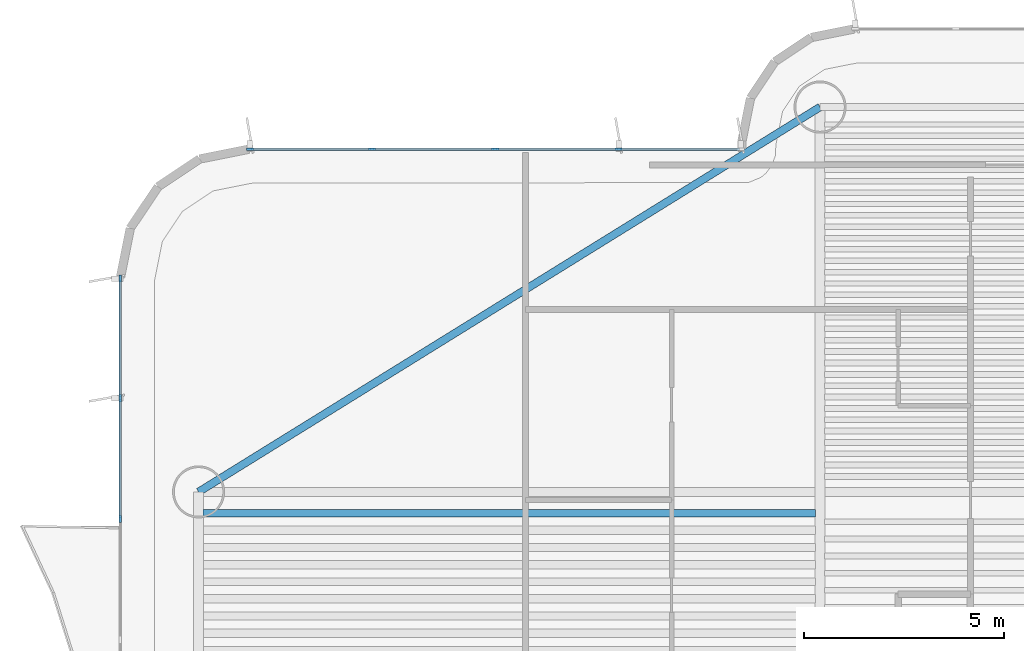
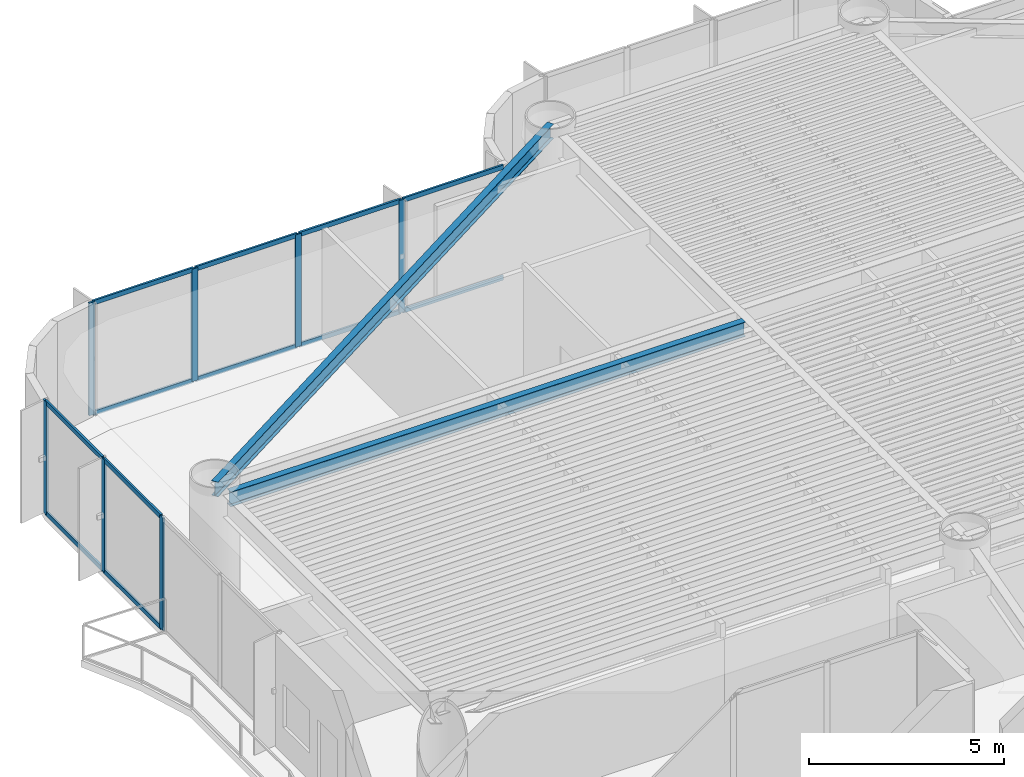
# One storey, part 5 of 17: 19 members, 2 beams, 2 elements without a shape of their own.
"""IFC4 building model written with IfcOpenShell, lengths in metres."""

from ifc_helpers import new_model, si_unit, direction, frame, origin, origin_2d, place, context, subcontext, project, spatial, rectangle, i_section, extrude, source, transform, mapped, material, layer, layer_set, material_profile, profile_set, type_object, element, aggregate, save


model = new_model("IFC4")

# Units and contexts
model_context = context("Model", 3, precision=1e-05, world=origin(), true_north=direction((0.0, 1.0)))
body_context = subcontext(model_context, "Body", "Model", "MODEL_VIEW")
ifc_project = project(units=[si_unit("LENGTHUNIT", "METRE"), si_unit("AREAUNIT", "SQUARE_METRE"), si_unit("VOLUMEUNIT", "CUBIC_METRE"), si_unit("PLANEANGLEUNIT", "RADIAN"), si_unit("MASSUNIT", "GRAM", prefix="KILO")], contexts=[model_context])

# Site, building, storey
site_placement = place(None, origin())
site = spatial("IfcSite", under=ifc_project, at=site_placement, CompositionType="ELEMENT")
building_placement = place(site_placement, origin())
building = spatial("IfcBuilding", under=site, at=building_placement, Name="Brelvock Crest Care Tower", CompositionType="ELEMENT")
storey_placement = place(building_placement, frame((0.0, 0.0, 97.3798828125)))
storey = spatial("IfcBuildingStorey", under=building, at=storey_placement, Name="L24", CompositionType="ELEMENT", Elevation=97.3798828125)

# Beams
ifc_material_1 = material(Name="Steel Grade 350", Category="steel")
ifc_material_profile_1 = material_profile(ifc_material_1, i_section(OverallWidth=0.19091796875, OverallDepth=0.4599609375, WebThickness=0.010009765625, FlangeThickness=0.01611328125, FilletRadius=0.011474609375, at=origin_2d()), Name="460UB82.1")
ifc_profile_set_1 = profile_set([ifc_material_profile_1], Name="Steel Grade 350")
beam_type_1 = type_object("IfcBeamType", Name="BM-G3", PredefinedType="BEAM", material=ifc_profile_set_1)
shared_shape_1 = source(origin(), body_context, "Body", "SweptSolid", [
    extrude(i_section(OverallWidth=0.19091796875, OverallDepth=0.4599609375, WebThickness=0.010009765625, FlangeThickness=0.01611328125, FilletRadius=0.011474609375, at=origin_2d()), origin(), (0.0, 0.0, 1.0), 15.27001953125),
])
beam_1_placement = place(storey_placement, frame((15.965087890625, 38.317626953125, 3.300048828125), z_axis=(1.0, 0.0, 0.0), x_axis=(0.0, 1.0, 0.0)))
element("IfcBeam", 1, at=beam_1_placement, inside=storey, type_object=beam_type_1, Name="BM-JW-L24-26", PredefinedType="BEAM", context=body_context, shape_type="MappedRepresentation", body=[
    mapped(shared_shape_1, transform((0.0, 0.0, 0.0), x_axis=(1.0, 0.0, 0.0), y_axis=(0.0, 1.0, 0.0), z_axis=(0.0, 0.0, 1.0), scale=1.0)),
])
ifc_material_profile_2 = material_profile(ifc_material_1, i_section(OverallWidth=0.19091796875, OverallDepth=0.4599609375, WebThickness=0.010009765625, FlangeThickness=0.01611328125, FilletRadius=0.011474609375, at=origin_2d()), Name="460UB82.1")
ifc_profile_set_2 = profile_set([ifc_material_profile_2], Name="Steel Grade 350")
beam_type_2 = type_object("IfcBeamType", Name="BM-SP2", PredefinedType="SPANDREL", material=ifc_profile_set_2)
shared_shape_2 = source(origin(), body_context, "Body", "SweptSolid", [
    extrude(i_section(OverallWidth=0.19091796875, OverallDepth=0.4599609375, WebThickness=0.010009765625, FlangeThickness=0.01611328125, FilletRadius=0.011474609375, at=origin_2d()), origin(), (0.0, 0.0, 1.0), 18.23193359375),
])
beam_2_placement = place(storey_placement, frame((15.85009765625, 38.85009765625, 3.300048828125), z_axis=(0.85015183248, 0.526537616635, 0.0), x_axis=(-0.526537616635, 0.85015183248, 0.0)))
element("IfcBeam", 2, at=beam_2_placement, inside=storey, type_object=beam_type_2, Name="BM-TWR-L24-06", PredefinedType="SPANDREL", context=body_context, shape_type="MappedRepresentation", body=[
    mapped(shared_shape_2, transform((0.0, 0.0, 0.0), x_axis=(1.0, 0.0, 0.0), y_axis=(0.0, 1.0, 0.0), z_axis=(0.0, 0.0, 1.0), scale=1.0)),
])

# Curtain wall, members
ifc_material_2 = material(Name="Dark Glass Double Glazed Low-E", Category="glass")
ifc_layer = layer(ifc_material_2, 0.2099609375, Name="CWS-3")
ifc_layer_set = layer_set([ifc_layer], Name="Dark Glass Double Glazed Low-E")
curtain_wall_type = type_object("IfcCurtainWallType", Name="CWS-3", PredefinedType="NOTDEFINED", material=ifc_layer_set)
curtain_wall_1_placement = place(storey_placement, origin())
curtain_wall_1 = element("IfcCurtainWall", 3, at=curtain_wall_1_placement, inside=storey, type_object=curtain_wall_type, Name="L24 Curtain Wall E17B", PredefinedType="NOTDEFINED")
ifc_material_3 = material(Name="Aluminium 6063-T6", Category="aluminium")
ifc_material_profile_3 = material_profile(ifc_material_3, rectangle(XDim=0.06005859375, YDim=0.179931640625, at=origin_2d()), Name="ALU60x180")
ifc_profile_set_3 = profile_set([ifc_material_profile_3], Name="Aluminium 6063-T6")
member_type_1 = type_object("IfcMemberType", Name="CWM-2", PredefinedType="MULLION", material=ifc_profile_set_3)
shared_shape_3 = source(origin(), body_context, "Body", "SweptSolid", [
    extrude(rectangle(XDim=0.06005859375, YDim=0.179931640625, at=origin_2d()), origin(), (0.0, 0.0, 1.0), 3.530029296875),
])
member_1_placement = place(storey_placement, frame((13.89990234375, 38.175048828125, 0.0), z_axis=(0.0, 0.0, 1.0), x_axis=(-1.0, 0.0, 0.0)))
member_1 = element("IfcMember", 4, at=member_1_placement, type_object=member_type_1, Name="CW-3 mullion 3", PredefinedType="MULLION", context=body_context, shape_type="MappedRepresentation", body=[
    mapped(shared_shape_3, transform((0.0, 0.0, 0.0), x_axis=(1.0, 0.0, 0.0), y_axis=(0.0, 1.0, 0.0), z_axis=(0.0, 0.0, 1.0), scale=1.0)),
])
member_2_placement = place(storey_placement, frame((13.89990234375, 41.1875, 0.0), z_axis=(0.0, 0.0, 1.0), x_axis=(-1.0, 0.0, 0.0)))
member_2 = element("IfcMember", 5, at=member_2_placement, type_object=member_type_1, Name="CW-3 mullion 4", PredefinedType="MULLION", context=body_context, shape_type="MappedRepresentation", body=[
    mapped(shared_shape_3, transform((0.0, 0.0, 0.0), x_axis=(1.0, 0.0, 0.0), y_axis=(0.0, 1.0, 0.0), z_axis=(0.0, 0.0, 1.0), scale=1.0)),
])
member_3_placement = place(storey_placement, frame((13.89990234375, 44.169921875, 0.0), z_axis=(0.0, 0.0, 1.0), x_axis=(-1.0, 0.0, 0.0)))
member_3 = element("IfcMember", 6, at=member_3_placement, type_object=member_type_1, Name="CW-3 mullion 5", PredefinedType="MULLION", context=body_context, shape_type="MappedRepresentation", body=[
    mapped(shared_shape_3, transform((0.0, 0.0, 0.0), x_axis=(1.0, 0.0, 0.0), y_axis=(0.0, 1.0, 0.0), z_axis=(0.0, 0.0, 1.0), scale=1.0)),
])

curtain_wall_2_placement = place(storey_placement, origin())
curtain_wall_2 = element("IfcCurtainWall", 7, at=curtain_wall_2_placement, inside=storey, type_object=curtain_wall_type, Name="L24 Curtain Wall E22", PredefinedType="NOTDEFINED")
member_4_placement = place(storey_placement, frame((17.1298828125, 47.39990234375, 0.0), z_axis=(0.0, 0.0, 1.0), x_axis=(0.0, 1.0, 0.0)))
member_4 = element("IfcMember", 8, at=member_4_placement, type_object=member_type_1, Name="CW-3 mullion 1", PredefinedType="MULLION", context=body_context, shape_type="MappedRepresentation", body=[
    mapped(shared_shape_3, transform((0.0, 0.0, 0.0), x_axis=(1.0, 0.0, 0.0), y_axis=(0.0, 1.0, 0.0), z_axis=(0.0, 0.0, 1.0), scale=1.0)),
])
member_5_placement = place(storey_placement, frame((20.175048828125, 47.39990234375, 0.0), z_axis=(0.0, 0.0, 1.0), x_axis=(0.0, 1.0, 0.0)))
member_5 = element("IfcMember", 9, at=member_5_placement, type_object=member_type_1, Name="CW-3 mullion 2", PredefinedType="MULLION", context=body_context, shape_type="MappedRepresentation", body=[
    mapped(shared_shape_3, transform((0.0, 0.0, 0.0), x_axis=(1.0, 0.0, 0.0), y_axis=(0.0, 1.0, 0.0), z_axis=(0.0, 0.0, 1.0), scale=1.0)),
])
member_6_placement = place(storey_placement, frame((23.25, 47.39990234375, 0.0), z_axis=(0.0, 0.0, 1.0), x_axis=(0.0, 1.0, 0.0)))
member_6 = element("IfcMember", 10, at=member_6_placement, type_object=member_type_1, Name="CW-3 mullion 3", PredefinedType="MULLION", context=body_context, shape_type="MappedRepresentation", body=[
    mapped(shared_shape_3, transform((0.0, 0.0, 0.0), x_axis=(1.0, 0.0, 0.0), y_axis=(0.0, 1.0, 0.0), z_axis=(0.0, 0.0, 1.0), scale=1.0)),
])
member_7_placement = place(storey_placement, frame((26.324951171875, 47.39990234375, 0.0), z_axis=(0.0, 0.0, 1.0), x_axis=(0.0, 1.0, 0.0)))
member_7 = element("IfcMember", 11, at=member_7_placement, type_object=member_type_1, Name="CW-3 mullion 4", PredefinedType="MULLION", context=body_context, shape_type="MappedRepresentation", body=[
    mapped(shared_shape_3, transform((0.0, 0.0, 0.0), x_axis=(1.0, 0.0, 0.0), y_axis=(0.0, 1.0, 0.0), z_axis=(0.0, 0.0, 1.0), scale=1.0)),
])

# Member
ifc_material_profile_4 = material_profile(ifc_material_3, rectangle(XDim=0.06005859375, YDim=0.139892578125, at=origin_2d()), Name="ALU60x140")
ifc_profile_set_4 = profile_set([ifc_material_profile_4], Name="Aluminium 6063-T6")
member_type_2 = type_object("IfcMemberType", Name="CWT-2", PredefinedType="USERDEFINED", material=ifc_profile_set_4)
shared_shape_4 = source(origin(), body_context, "Body", "SweptSolid", [
    extrude(rectangle(XDim=0.06005859375, YDim=0.139892578125, at=origin_2d()), origin(), (0.0, 0.0, 1.0), 2.952392578125),
])
member_8_placement = place(storey_placement, frame((13.89990234375, 38.205078125, 0.030029296875), z_axis=(0.0, 1.0, 0.0), x_axis=(-1.0, 0.0, 0.0)))
member_8 = element("IfcMember", 12, at=member_8_placement, type_object=member_type_2, Name="CW-3 transom 3.1", ObjectType="TRANSOM", PredefinedType="USERDEFINED", context=body_context, shape_type="MappedRepresentation", body=[
    mapped(shared_shape_4, transform((0.0, 0.0, 0.0), x_axis=(1.0, 0.0, 0.0), y_axis=(0.0, 1.0, 0.0), z_axis=(0.0, 0.0, 1.0), scale=1.0)),
])

member_9_placement = place(storey_placement, frame((13.89990234375, 38.205078125, 3.5), z_axis=(0.0, 1.0, 0.0), x_axis=(-1.0, 0.0, 0.0)))
member_9 = element("IfcMember", 13, at=member_9_placement, type_object=member_type_2, Name="CW-3 transom 3.2", ObjectType="TRANSOM", PredefinedType="USERDEFINED", context=body_context, shape_type="MappedRepresentation", body=[
    mapped(shared_shape_4, transform((0.0, 0.0, 0.0), x_axis=(1.0, 0.0, 0.0), y_axis=(0.0, 1.0, 0.0), z_axis=(0.0, 0.0, 1.0), scale=1.0)),
])

shared_shape_5 = source(origin(), body_context, "Body", "SweptSolid", [
    extrude(rectangle(XDim=0.06005859375, YDim=0.139892578125, at=origin_2d()), origin(), (0.0, 0.0, 1.0), 2.92236328125),
])
member_10_placement = place(storey_placement, frame((13.89990234375, 41.217529296875, 0.030029296875), z_axis=(0.0, 1.0, 0.0), x_axis=(-1.0, 0.0, 0.0)))
member_10 = element("IfcMember", 14, at=member_10_placement, type_object=member_type_2, Name="CW-3 transom 4.1", ObjectType="TRANSOM", PredefinedType="USERDEFINED", context=body_context, shape_type="MappedRepresentation", body=[
    mapped(shared_shape_5, transform((0.0, 0.0, 0.0), x_axis=(1.0, 0.0, 0.0), y_axis=(0.0, 1.0, 0.0), z_axis=(0.0, 0.0, 1.0), scale=1.0)),
])

member_11_placement = place(storey_placement, frame((13.89990234375, 41.217529296875, 3.5), z_axis=(0.0, 1.0, 0.0), x_axis=(-1.0, 0.0, 0.0)))
member_11 = element("IfcMember", 15, at=member_11_placement, type_object=member_type_2, Name="CW-3 transom 4.2", ObjectType="TRANSOM", PredefinedType="USERDEFINED", context=body_context, shape_type="MappedRepresentation", body=[
    mapped(shared_shape_5, transform((0.0, 0.0, 0.0), x_axis=(1.0, 0.0, 0.0), y_axis=(0.0, 1.0, 0.0), z_axis=(0.0, 0.0, 1.0), scale=1.0)),
])

aggregate(curtain_wall_1, [member_1, member_2, member_3, member_8, member_9, member_10, member_11])

shared_shape_6 = source(origin(), body_context, "Body", "SweptSolid", [
    extrude(rectangle(XDim=0.06005859375, YDim=0.139892578125, at=origin_2d()), origin(), (0.0, 0.0, 1.0), 2.985107421875),
])
member_12_placement = place(storey_placement, frame((17.159912109375, 47.39990234375, 0.030029296875), z_axis=(1.0, 0.0, 0.0), x_axis=(0.0, 1.0, 0.0)))
member_12 = element("IfcMember", 16, at=member_12_placement, type_object=member_type_2, Name="CW-3 transom 1.1", ObjectType="TRANSOM", PredefinedType="USERDEFINED", context=body_context, shape_type="MappedRepresentation", body=[
    mapped(shared_shape_6, transform((0.0, 0.0, 0.0), x_axis=(1.0, 0.0, 0.0), y_axis=(0.0, 1.0, 0.0), z_axis=(0.0, 0.0, 1.0), scale=1.0)),
])

member_13_placement = place(storey_placement, frame((17.159912109375, 47.39990234375, 3.5), z_axis=(1.0, 0.0, 0.0), x_axis=(0.0, 1.0, 0.0)))
member_13 = element("IfcMember", 17, at=member_13_placement, type_object=member_type_2, Name="CW-3 transom 1.2", ObjectType="TRANSOM", PredefinedType="USERDEFINED", context=body_context, shape_type="MappedRepresentation", body=[
    mapped(shared_shape_6, transform((0.0, 0.0, 0.0), x_axis=(1.0, 0.0, 0.0), y_axis=(0.0, 1.0, 0.0), z_axis=(0.0, 0.0, 1.0), scale=1.0)),
])

member_14_placement = place(storey_placement, frame((26.35498046875, 47.39990234375, 0.030029296875), z_axis=(1.0, 0.0, 0.0), x_axis=(0.0, 1.0, 0.0)))
member_14 = element("IfcMember", 18, at=member_14_placement, type_object=member_type_2, Name="CW-3 transom 4.1", ObjectType="TRANSOM", PredefinedType="USERDEFINED", context=body_context, shape_type="MappedRepresentation", body=[
    mapped(shared_shape_6, transform((0.0, 0.0, 0.0), x_axis=(1.0, 0.0, 0.0), y_axis=(0.0, 1.0, 0.0), z_axis=(0.0, 0.0, 1.0), scale=1.0)),
])

member_15_placement = place(storey_placement, frame((26.35498046875, 47.39990234375, 3.5), z_axis=(1.0, 0.0, 0.0), x_axis=(0.0, 1.0, 0.0)))
member_15 = element("IfcMember", 19, at=member_15_placement, type_object=member_type_2, Name="CW-3 transom 4.2", ObjectType="TRANSOM", PredefinedType="USERDEFINED", context=body_context, shape_type="MappedRepresentation", body=[
    mapped(shared_shape_6, transform((0.0, 0.0, 0.0), x_axis=(1.0, 0.0, 0.0), y_axis=(0.0, 1.0, 0.0), z_axis=(0.0, 0.0, 1.0), scale=1.0)),
])

shared_shape_7 = source(origin(), body_context, "Body", "SweptSolid", [
    extrude(rectangle(XDim=0.06005859375, YDim=0.139892578125, at=origin_2d()), origin(), (0.0, 0.0, 1.0), 3.014892578125),
])
member_16_placement = place(storey_placement, frame((20.205078125, 47.39990234375, 0.030029296875), z_axis=(1.0, 0.0, 0.0), x_axis=(0.0, 1.0, 0.0)))
member_16 = element("IfcMember", 20, at=member_16_placement, type_object=member_type_2, Name="CW-3 transom 2.1", ObjectType="TRANSOM", PredefinedType="USERDEFINED", context=body_context, shape_type="MappedRepresentation", body=[
    mapped(shared_shape_7, transform((0.0, 0.0, 0.0), x_axis=(1.0, 0.0, 0.0), y_axis=(0.0, 1.0, 0.0), z_axis=(0.0, 0.0, 1.0), scale=1.0)),
])

member_17_placement = place(storey_placement, frame((20.205078125, 47.39990234375, 3.5), z_axis=(1.0, 0.0, 0.0), x_axis=(0.0, 1.0, 0.0)))
member_17 = element("IfcMember", 21, at=member_17_placement, type_object=member_type_2, Name="CW-3 transom 2.2", ObjectType="TRANSOM", PredefinedType="USERDEFINED", context=body_context, shape_type="MappedRepresentation", body=[
    mapped(shared_shape_7, transform((0.0, 0.0, 0.0), x_axis=(1.0, 0.0, 0.0), y_axis=(0.0, 1.0, 0.0), z_axis=(0.0, 0.0, 1.0), scale=1.0)),
])

member_18_placement = place(storey_placement, frame((23.280029296875, 47.39990234375, 0.030029296875), z_axis=(1.0, 0.0, 0.0), x_axis=(0.0, 1.0, 0.0)))
member_18 = element("IfcMember", 22, at=member_18_placement, type_object=member_type_2, Name="CW-3 transom 3.1", ObjectType="TRANSOM", PredefinedType="USERDEFINED", context=body_context, shape_type="MappedRepresentation", body=[
    mapped(shared_shape_7, transform((0.0, 0.0, 0.0), x_axis=(1.0, 0.0, 0.0), y_axis=(0.0, 1.0, 0.0), z_axis=(0.0, 0.0, 1.0), scale=1.0)),
])

member_19_placement = place(storey_placement, frame((23.280029296875, 47.39990234375, 3.5), z_axis=(1.0, 0.0, 0.0), x_axis=(0.0, 1.0, 0.0)))
member_19 = element("IfcMember", 23, at=member_19_placement, type_object=member_type_2, Name="CW-3 transom 3.2", ObjectType="TRANSOM", PredefinedType="USERDEFINED", context=body_context, shape_type="MappedRepresentation", body=[
    mapped(shared_shape_7, transform((0.0, 0.0, 0.0), x_axis=(1.0, 0.0, 0.0), y_axis=(0.0, 1.0, 0.0), z_axis=(0.0, 0.0, 1.0), scale=1.0)),
])

aggregate(curtain_wall_2, [member_4, member_5, member_6, member_7, member_12, member_13, member_16, member_17, member_18, member_19, member_14, member_15])

save(model, "model.ifc")
